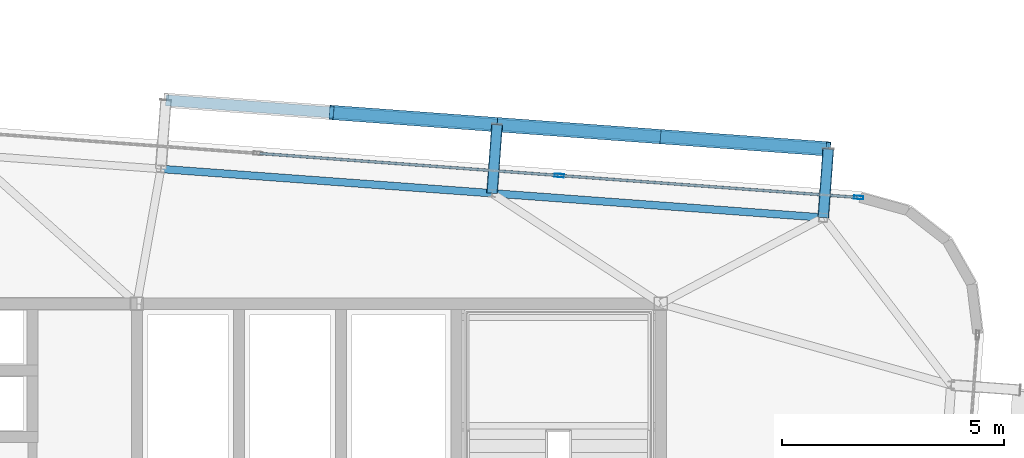
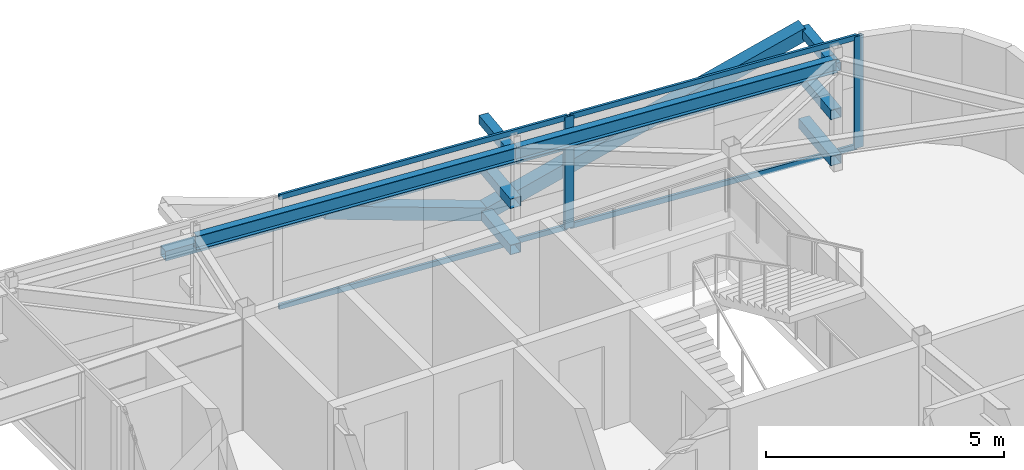
# One storey, part 26 of 40: 17 members, 2 beams, 1 element without a shape of its own.
"""IFC4 building model written with IfcOpenShell, lengths in metres."""

from ifc_helpers import new_model, si_unit, direction, frame, origin, origin_2d, place, context, subcontext, project, spatial, hollow_rectangle, i_section, extrude, source, transform, mapped, material, layer, layer_set, material_profile, profile_set, type_object, element, aggregate, save


model = new_model("IFC4")

# Units and contexts
model_context = context("Model", 3, precision=1e-05, world=origin(), true_north=direction((0.0, 1.0)))
body_context = subcontext(model_context, "Body", "Model", "MODEL_VIEW")
ifc_project = project(units=[si_unit("LENGTHUNIT", "METRE"), si_unit("AREAUNIT", "SQUARE_METRE"), si_unit("VOLUMEUNIT", "CUBIC_METRE"), si_unit("PLANEANGLEUNIT", "RADIAN"), si_unit("MASSUNIT", "GRAM", prefix="KILO")], contexts=[model_context])

# Site, building, storey
site_placement = place(None, origin())
site = spatial("IfcSite", under=ifc_project, at=site_placement, CompositionType="ELEMENT")
building_placement = place(site_placement, origin())
building = spatial("IfcBuilding", under=site, at=building_placement, Name="Taldren Reach Tower", CompositionType="ELEMENT")
storey_placement = place(building_placement, frame((0.0, 0.0, 233.449951171875)))
storey = spatial("IfcBuildingStorey", under=building, at=storey_placement, Name="L71", CompositionType="ELEMENT", Elevation=233.449951171875)

# Members
ifc_material_1 = material(Name="Steel Gr 350 (C350L0)", Category="steel")
ifc_material_profile_1 = material_profile(ifc_material_1, hollow_rectangle(XDim=0.25, YDim=0.25, WallThickness=0.010009765625, at=origin_2d()), Name="250x250x10.0SHS")
ifc_profile_set_1 = profile_set([ifc_material_profile_1], Name="Steel Gr 350 (C350L0)")
member_type_1 = type_object("IfcMemberType", Name="MB-POST250", PredefinedType="POST", material=ifc_profile_set_1)
shared_shape_1 = source(origin(), body_context, "Body", "SweptSolid", [
    extrude(hollow_rectangle(XDim=0.25, YDim=0.25, WallThickness=0.010009765625, at=origin_2d()), origin(), (0.0, 0.0, 1.0), 1.550048828125),
])
for number, where, z_axis, x_axis, name in (
    (1, (47.199462890625, 34.487548828125, 0.219970703125), (0.07323929162, 0.997314396849, 0.0), (-0.997314396849, 0.07323929162, 0.0), "Exoskeleton base diaphragm tie strut B5-N5 L71"),
    (2, (54.659423828125, 33.939697265625, 0.219970703125), (0.07323929162, 0.997314396849, 0.0), (-0.997314396849, 0.07323929162, 0.0), "Exoskeleton base diaphragm tie strut B5-N6 L71"),
    (3, (47.199462890625, 34.487548828125, 1.405029296875), (0.07323929162, 0.997314396849, 0.0), (-0.997314396849, 0.07323929162, 0.0), "Exoskeleton mid-tier diaphragm tie B5-N5 L71"),
    (4, (54.659423828125, 33.939697265625, 1.405029296875), (0.07323929162, 0.997314396849, 0.0), (-0.997314396849, 0.07323929162, 0.0), "Exoskeleton mid-tier diaphragm tie B5-N6 L71"),
):
    element("IfcMember", number, at=place(storey_placement, frame(where, z_axis=z_axis, x_axis=x_axis)), inside=storey, type_object=member_type_1, Name=name, PredefinedType="POST", context=body_context, shape_type="MappedRepresentation", body=[
        mapped(shared_shape_1, transform((0.0, 0.0, 0.0), scale=1.0)),
    ])
ifc_material_2 = material(Name="Steel Gr 450 (C450L0)", Category="steel")
ifc_material_profile_2 = material_profile(ifc_material_2, hollow_rectangle(XDim=0.219970703125, YDim=0.219970703125, WallThickness=0.00830078125, at=origin_2d()), Name="220x220x8.2SHS")
ifc_profile_set_2 = profile_set([ifc_material_profile_2], Name="Steel Gr 450 (C450L0)")
member_type_2 = type_object("IfcMemberType", Name="MB-TIE219", PredefinedType="STRUT", material=ifc_profile_set_2)
shared_shape_2 = source(origin(), body_context, "Body", "SweptSolid", [
    extrude(hollow_rectangle(XDim=0.219970703125, YDim=0.219970703125, WallThickness=0.00830078125, at=origin_2d()), origin(), (0.0, 0.0, 1.0), 1.550048828125),
])
for number, where, z_axis, x_axis, name in (
    (5, (47.199462890625, 34.487548828125, 2.590087890625), (0.07323929162, 0.997314396849, 0.0), (-0.997314396849, 0.07323929162, 0.0), "Exoskeleton diaphragm tie strut B5-N5 L71"),
    (6, (54.659423828125, 33.939697265625, 2.590087890625), (0.07323929162, 0.997314396849, 0.0), (-0.997314396849, 0.07323929162, 0.0), "Exoskeleton diaphragm tie strut B5-N6 L71"),
):
    element("IfcMember", number, at=place(storey_placement, frame(where, z_axis=z_axis, x_axis=x_axis)), inside=storey, type_object=member_type_2, Name=name, PredefinedType="STRUT", context=body_context, shape_type="MappedRepresentation", body=[
        mapped(shared_shape_2, transform((0.0, 0.0, 0.0), scale=1.0)),
    ])

# Beams
ifc_material_3 = material(Name="Steel Gr 350 (350PLUS)", Category="steel")
ifc_material_profile_3 = material_profile(ifc_material_3, i_section(OverallWidth=0.172119140625, OverallDepth=0.35888671875, WebThickness=0.008056640625, FlangeThickness=0.012939453125, at=origin_2d()), Name="360UB56.7")
ifc_profile_set_3 = profile_set([ifc_material_profile_3], Name="Steel Gr 350 (350PLUS)")
beam_type = type_object("IfcBeamType", Name="SP-UB360", PredefinedType="SPANDREL", material=ifc_profile_set_3)
shared_shape_3 = source(origin(), body_context, "Body", "SweptSolid", [
    extrude(i_section(OverallWidth=0.172119140625, OverallDepth=0.35888671875, WebThickness=0.008056640625, FlangeThickness=0.012939453125, at=origin_2d()), origin(), (0.0, 0.0, 1.0), 7.47998046875),
])
for number, where, z_axis, x_axis, name in (
    (7, (54.659423828125, 33.939697265625, 2.6904296875), (-0.997314220642, 0.07324169103, 0.0), (-0.07324169103, -0.997314220642, 0.0), "Perimeter spandrel B5 N6-N5 L71"),
    (8, (47.199462890625, 34.487548828125, 2.6904296875), (-0.997314220642, 0.07324169103, 0.0), (-0.07324169103, -0.997314220642, 0.0), "Perimeter spandrel B5 N5-N4 L71"),
):
    element("IfcBeam", number, at=place(storey_placement, frame(where, z_axis=z_axis, x_axis=x_axis)), inside=storey, type_object=beam_type, Name=name, PredefinedType="SPANDREL", context=body_context, shape_type="MappedRepresentation", body=[
        mapped(shared_shape_3, transform((0.0, 0.0, 0.0), scale=1.0)),
    ])

# Members
shared_shape_4 = source(origin(), body_context, "Body", "SweptSolid", [
    extrude(hollow_rectangle(XDim=0.25, YDim=0.25, WallThickness=0.010009765625, at=origin_2d()), origin(), (0.0, 0.0, 1.0), 7.47998046875),
])
for number, where, z_axis, x_axis, name in (
    (9, (39.85302734375, 36.581298828125, 1.405029296875), (0.997314220642, -0.07324169103, 0.0), (0.07324169103, 0.997314220642, 0.0), "Exoskeleton mid-height ring chord B5-N3 L71"),
    (10, (47.31298828125, 36.033447265625, 1.405029296875), (0.997314220642, -0.07324169103, 0.0), (0.07324169103, 0.997314220642, 0.0), "Exoskeleton mid-height ring chord B5-N4 L71"),
):
    element("IfcMember", number, at=place(storey_placement, frame(where, z_axis=z_axis, x_axis=x_axis)), inside=storey, type_object=member_type_1, Name=name, PredefinedType="POST", context=body_context, shape_type="MappedRepresentation", body=[
        mapped(shared_shape_4, transform((0.0, 0.0, 0.0), scale=1.0)),
    ])
ifc_material_profile_4 = material_profile(ifc_material_2, hollow_rectangle(XDim=0.324951171875, YDim=0.324951171875, WallThickness=0.0126953125, at=origin_2d()), Name="325x325x12.7SHS")
ifc_profile_set_4 = profile_set([ifc_material_profile_4], Name="Steel Gr 450 (C450L0)")
member_type_3 = type_object("IfcMemberType", Name="MB-BR324", PredefinedType="BRACE", material=ifc_profile_set_4)
shared_shape_5 = source(origin(), body_context, "Body", "SweptSolid", [
    extrude(hollow_rectangle(XDim=0.324951171875, YDim=0.324951171875, WallThickness=0.0126953125, at=origin_2d()), origin(), (0.0, 0.0, 1.0), 3.92333984375),
])
for number, where, z_axis, x_axis, name in (
    (11, (47.31298828125, 36.033447265625, 0.219970703125), (-0.950729270276, 0.069820542038, 0.302057852986), (-0.07324169103, -0.997314220642, 0.0), "Exoskeleton Diagrid Brace B5-N3 L71"),
    (12, (47.31298828125, 36.033447265625, 0.219970703125), (0.950729270276, -0.069820542038, 0.302057852986), (0.07324169103, 0.997314220642, 0.0), "Exoskeleton Diagrid Brace B5-N4 L71"),
    (13, (51.04296875, 35.759521484375, 1.405029296875), (0.950729270276, -0.069820542038, 0.302057852986), (0.07324169103, 0.997314220642, 0.0), "Exoskeleton Diagrid Brace B5-N4 L71"),
):
    element("IfcMember", number, at=place(storey_placement, frame(where, z_axis=z_axis, x_axis=x_axis)), inside=storey, type_object=member_type_3, Name=name, PredefinedType="BRACE", context=body_context, shape_type="MappedRepresentation", body=[
        mapped(shared_shape_5, transform((0.0, 0.0, 0.0), scale=1.0)),
    ])

# Curtain wall, members
ifc_material_4 = material(Name="Aluminium and Low-E Glass Unitised System", Category="aluminium")
ifc_layer = layer(ifc_material_4, 0.159912109375)
ifc_layer_set = layer_set([ifc_layer], Name="Aluminium and Low-E Glass Unitised System")
curtain_wall_type = type_object("IfcCurtainWallType", Name="CW-SYS-7", PredefinedType="NOTDEFINED", material=ifc_layer_set)
curtain_wall_placement = place(storey_placement, origin())
curtain_wall = element("IfcCurtainWall", 14, at=curtain_wall_placement, inside=storey, type_object=curtain_wall_type, Name="Unitised curtain wall CW-L71-NEWING", PredefinedType="NOTDEFINED")
ifc_material_5 = material(Name="Anodised Aluminium 6063-T6", Category="aluminium")
ifc_material_profile_5 = material_profile(ifc_material_5, hollow_rectangle(XDim=0.06005859375, YDim=0.135009765625, WallThickness=0.00341796875, at=origin_2d()), Name="ALU-135x60x3.5RHS")
ifc_profile_set_5 = profile_set([ifc_material_profile_5], Name="Anodised Aluminium 6063-T6")
member_type_4 = type_object("IfcMemberType", Name="CW-TRN-150", PredefinedType="USERDEFINED", material=ifc_profile_set_5)
shared_shape_6 = source(origin(), body_context, "Body", "SweptSolid", [
    extrude(hollow_rectangle(XDim=0.06005859375, YDim=0.135009765625, WallThickness=0.00341796875, at=origin_2d()), origin(), (0.0, 0.0, 1.0), 6.687255859375),
])
member_1_placement = place(storey_placement, frame((55.419677734375, 34.395263671875, 0.030029296875), z_axis=(-0.997314570781, 0.073236923124, 0.0), x_axis=(-0.073236923124, -0.997314570781, 0.0)))
member_1 = element("IfcMember", 15, at=member_1_placement, type_object=member_type_4, Name="CW-7 transom 1.1", ObjectType="TRANSOM", PredefinedType="USERDEFINED", context=body_context, shape_type="MappedRepresentation", body=[
    mapped(shared_shape_6, transform((0.0, 0.0, 0.0), scale=1.0)),
])
member_2_placement = place(storey_placement, frame((55.419677734375, 34.395263671875, 2.840087890625), z_axis=(-0.997314570781, 0.073236923124, 0.0), x_axis=(-0.073236923124, -0.997314570781, 0.0)))
member_2 = element("IfcMember", 16, at=member_2_placement, type_object=member_type_4, Name="CW-7 transom 1.2", ObjectType="TRANSOM", PredefinedType="USERDEFINED", context=body_context, shape_type="MappedRepresentation", body=[
    mapped(shared_shape_6, transform((0.0, 0.0, 0.0), scale=1.0)),
])
shared_shape_7 = source(origin(), body_context, "Body", "SweptSolid", [
    extrude(hollow_rectangle(XDim=0.06005859375, YDim=0.135009765625, WallThickness=0.00341796875, at=origin_2d()), origin(), (0.0, 0.0, 1.0), 6.724609375),
])
member_3_placement = place(storey_placement, frame((48.675537109375, 34.890625, 0.030029296875), z_axis=(-0.997315195027, 0.073228421855, 0.0), x_axis=(-0.073228421855, -0.997315195027, 0.0)))
member_3 = element("IfcMember", 17, at=member_3_placement, type_object=member_type_4, Name="CW-7 transom 2.1", ObjectType="TRANSOM", PredefinedType="USERDEFINED", context=body_context, shape_type="MappedRepresentation", body=[
    mapped(shared_shape_7, transform((0.0, 0.0, 0.0), scale=1.0)),
])
member_4_placement = place(storey_placement, frame((48.675537109375, 34.890625, 2.840087890625), z_axis=(-0.997315195027, 0.073228421855, 0.0), x_axis=(-0.073228421855, -0.997315195027, 0.0)))
member_4 = element("IfcMember", 18, at=member_4_placement, type_object=member_type_4, Name="CW-7 transom 2.2", ObjectType="TRANSOM", PredefinedType="USERDEFINED", context=body_context, shape_type="MappedRepresentation", body=[
    mapped(shared_shape_7, transform((0.0, 0.0, 0.0), scale=1.0)),
])
ifc_material_profile_6 = material_profile(ifc_material_5, hollow_rectangle(XDim=0.074951171875, YDim=0.2099609375, WallThickness=0.00439453125, at=origin_2d()), Name="ALU-210x75x4.5RHS")
ifc_profile_set_6 = profile_set([ifc_material_profile_6], Name="Anodised Aluminium 6063-T6")
member_type_5 = type_object("IfcMemberType", Name="CW-MUL-200", PredefinedType="MULLION", material=ifc_profile_set_6)
shared_shape_8 = source(origin(), body_context, "Body", "SweptSolid", [
    extrude(hollow_rectangle(XDim=0.074951171875, YDim=0.2099609375, WallThickness=0.00439453125, at=origin_2d()), origin(), (0.0, 0.0, 1.0), 2.8701171875),
])
member_5_placement = place(storey_placement, frame((55.45703125, 34.392578125, 0.0), z_axis=(0.0, 0.0, 1.0), x_axis=(-0.073238215265, -0.997314475893, 0.0)))
member_5 = element("IfcMember", 19, at=member_5_placement, type_object=member_type_5, Name="CW-7 mullion 1", PredefinedType="MULLION", context=body_context, shape_type="MappedRepresentation", body=[
    mapped(shared_shape_8, transform((0.0, 0.0, 0.0), scale=1.0)),
])
member_6_placement = place(storey_placement, frame((48.713134765625, 34.8876953125, 0.0), z_axis=(0.0, 0.0, 1.0), x_axis=(-0.073238215265, -0.997314475893, 0.0)))
member_6 = element("IfcMember", 20, at=member_6_placement, type_object=member_type_5, Name="CW-7 mullion 2", PredefinedType="MULLION", context=body_context, shape_type="MappedRepresentation", body=[
    mapped(shared_shape_8, transform((0.0, 0.0, 0.0), scale=1.0)),
])
aggregate(curtain_wall, [member_5, member_6, member_1, member_2, member_3, member_4])

save(model, "model.ifc")
